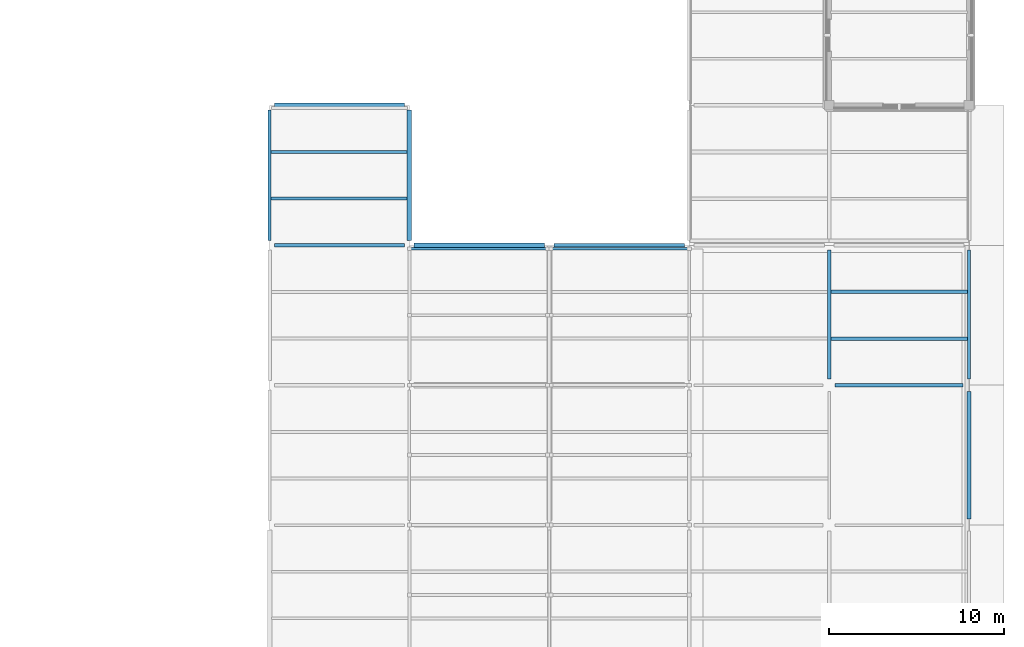
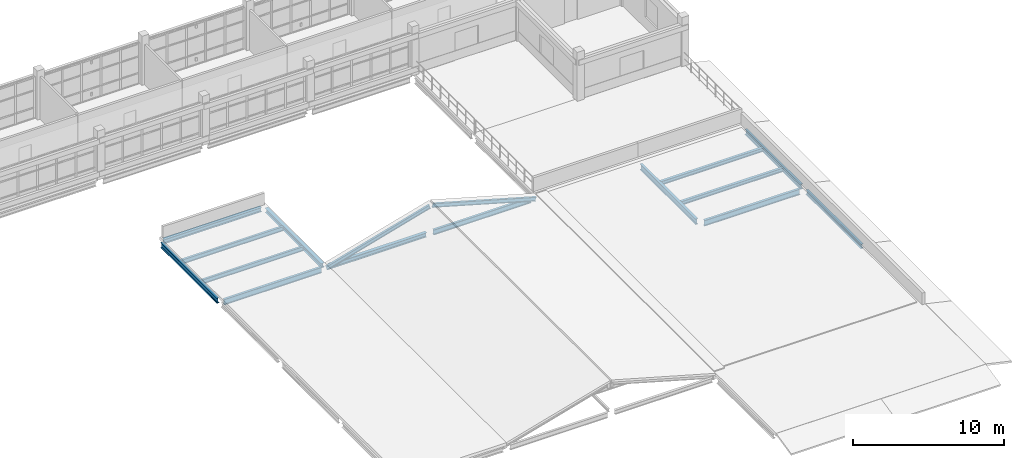
# One storey, part 35 of 92: 14 beams, 2 members.
"""IFC4 building model written with IfcOpenShell, lengths in metres."""

from ifc_helpers import new_model, si_unit, derived_unit, direction, frame, origin, origin_2d, place, context, subcontext, project, spatial, i_section, extrude, material, material_profile, profile_set, type_object, element, save


model = new_model("IFC4")

# Units and contexts
model_context = context("Model", 3, precision=1e-05, world=origin(), true_north=direction((0.0, 1.0)))
body_context = subcontext(model_context, "Body", "Model", "MODEL_VIEW")
ifc_project = project(units=[si_unit("LENGTHUNIT", "METRE"), si_unit("AREAUNIT", "SQUARE_METRE"), si_unit("VOLUMEUNIT", "CUBIC_METRE"), si_unit("PLANEANGLEUNIT", "RADIAN"), si_unit("MASSUNIT", "GRAM", prefix="KILO"), derived_unit("THERMALTRANSMITTANCEUNIT", [(si_unit("MASSUNIT", "GRAM", prefix="KILO"), 1), (si_unit("TIMEUNIT", "SECOND"), -3), (si_unit("THERMODYNAMICTEMPERATUREUNIT", "KELVIN"), -1)])], contexts=[model_context])

# Site, building, storey
site_placement = place(None, origin())
site = spatial("IfcSite", under=ifc_project, at=site_placement, CompositionType="ELEMENT")
building_placement = place(site_placement, origin())
building = spatial("IfcBuilding", under=site, at=building_placement, Name="Veyamyaing Civic Hall", CompositionType="ELEMENT")
storey_placement = place(building_placement, frame((0.0, 0.0, 17.820068359375)))
storey = spatial("IfcBuildingStorey", under=building, at=storey_placement, Name="L04", CompositionType="ELEMENT", Elevation=17.820068359375)

# Beams
ifc_material = material(Name="Steel ASTM A992", Category="steel")
ifc_material_profile_1 = material_profile(ifc_material, i_section(OverallWidth=0.19189453125, OverallDepth=0.462890625, WebThickness=0.010498046875, FlangeThickness=0.017578125, FilletRadius=0.010009765625, at=origin_2d()), Name="W460X89")
ifc_profile_set_1 = profile_set([ifc_material_profile_1], Name="Steel ASTM A992")
beam_type_1 = type_object("IfcBeamType", Name="B-08", PredefinedType="BEAM", material=ifc_profile_set_1)
beam_1_placement = place(storey_placement, frame((168.35009765625, 24.0, -0.4716796875), z_axis=(1.0, 0.0, 0.0), x_axis=(0.0, 1.0, 0.0)))
element("IfcBeam", 1, at=beam_1_placement, inside=storey, type_object=beam_type_1, Name="Girder B-08 L04 Grid D 22-23", PredefinedType="BEAM", context=body_context, shape_type="SweptSolid", body=[
    extrude(i_section(OverallWidth=0.19189453125, OverallDepth=0.462890625, WebThickness=0.010498046875, FlangeThickness=0.017578125, FilletRadius=0.010009765625, at=origin_2d()), origin(), (0.0, 0.0, 1.0), 7.2998046875),
])
beam_2_placement = place(storey_placement, frame((168.0, 24.35009765625, -0.4716796875), z_axis=(0.0, 1.0, 0.0), x_axis=(-1.0, 0.0, 0.0)))
element("IfcBeam", 2, at=beam_2_placement, inside=storey, type_object=beam_type_1, Name="Girder B-08 L04 Grid 22 D-E", PredefinedType="BEAM", context=body_context, shape_type="SweptSolid", body=[
    extrude(i_section(OverallWidth=0.19189453125, OverallDepth=0.462890625, WebThickness=0.010498046875, FlangeThickness=0.017578125, FilletRadius=0.010009765625, at=origin_2d()), origin(), (0.0, 0.0, 1.0), 7.375),
])
ifc_material_profile_2 = material_profile(ifc_material, i_section(OverallWidth=0.18994140625, OverallDepth=0.45703125, WebThickness=0.009033203125, FlangeThickness=0.014404296875, FilletRadius=0.010009765625, at=origin_2d()), Name="W460X74")
ifc_profile_set_2 = profile_set([ifc_material_profile_2], Name="Steel ASTM A992")
beam_type_2 = type_object("IfcBeamType", Name="B-09", PredefinedType="BEAM", material=ifc_profile_set_2)
beam_3_placement = place(storey_placement, frame((136.27490234375, 32.0, -0.468505859375), z_axis=(1.0, 0.0, 0.0), x_axis=(0.0, 1.0, 0.0)))
element("IfcBeam", 3, at=beam_3_placement, inside=storey, type_object=beam_type_2, Name="Girder B-09 L04 Grid E 18-19", PredefinedType="BEAM", context=body_context, shape_type="SweptSolid", body=[
    extrude(i_section(OverallWidth=0.18994140625, OverallDepth=0.45703125, WebThickness=0.009033203125, FlangeThickness=0.014404296875, FilletRadius=0.010009765625, at=origin_2d()), origin(), (0.0, 0.0, 1.0), 7.4501953125),
])
ifc_material_profile_3 = material_profile(ifc_material, i_section(OverallWidth=0.179931640625, OverallDepth=0.4130859375, WebThickness=0.009765625, FlangeThickness=0.01611328125, FilletRadius=0.010009765625, at=origin_2d()), Name="W410X74")
ifc_profile_set_3 = profile_set([ifc_material_profile_3], Name="Steel ASTM A992")
beam_type_3 = type_object("IfcBeamType", Name="B-10", PredefinedType="SPANDREL", material=ifc_profile_set_3)
beam_4_placement = place(storey_placement, frame((152.27490234375, 32.0, -0.441650390625), z_axis=(1.0, 0.0, 0.0), x_axis=(0.0, 1.0, 0.0)))
element("IfcBeam", 4, at=beam_4_placement, inside=storey, type_object=beam_type_3, Name="Girder B-10 L04 Grid E 20-21", PredefinedType="SPANDREL", context=body_context, shape_type="SweptSolid", body=[
    extrude(i_section(OverallWidth=0.179931640625, OverallDepth=0.4130859375, WebThickness=0.009765625, FlangeThickness=0.01611328125, FilletRadius=0.010009765625, at=origin_2d()), origin(), (0.0, 0.0, 1.0), 7.4501953125),
])
ifc_material_profile_4 = material_profile(ifc_material, i_section(OverallWidth=0.2041015625, OverallDepth=0.35009765625, WebThickness=0.0078125, FlangeThickness=0.01513671875, FilletRadius=0.010009765625, at=origin_2d()), Name="W360X72")
ifc_profile_set_4 = profile_set([ifc_material_profile_4], Name="Steel ASTM A992")
beam_type_4 = type_object("IfcBeamType", Name="B-11", PredefinedType="SPANDREL", material=ifc_profile_set_4)
beam_5_placement = place(storey_placement, frame((176.0, 16.35009765625, -0.4150390625), z_axis=(0.0, 1.0, 0.0), x_axis=(-1.0, 0.0, 0.0)))
element("IfcBeam", 5, at=beam_5_placement, inside=storey, type_object=beam_type_4, Name="Girder B-11 L04 Grid 23 C-D", PredefinedType="SPANDREL", context=body_context, shape_type="SweptSolid", body=[
    extrude(i_section(OverallWidth=0.2041015625, OverallDepth=0.35009765625, WebThickness=0.0078125, FlangeThickness=0.01513671875, FilletRadius=0.010009765625, at=origin_2d()), origin(), (0.0, 0.0, 1.0), 7.2998046875),
])
ifc_material_profile_5 = material_profile(ifc_material, i_section(OverallWidth=0.180908203125, OverallDepth=0.4169921875, WebThickness=0.010986328125, FlangeThickness=0.018310546875, FilletRadius=0.010009765625, at=origin_2d()), Name="W410X85")
ifc_profile_set_5 = profile_set([ifc_material_profile_5], Name="Steel ASTM A992")
beam_type_5 = type_object("IfcBeamType", Name="B-19", PredefinedType="SPANDREL", material=ifc_profile_set_5)
beam_6_placement = place(storey_placement, frame((136.0, 32.27490234375, -0.448486328125), z_axis=(0.0, 1.0, 0.0), x_axis=(-1.0, 0.0, 0.0)))
element("IfcBeam", 6, at=beam_6_placement, inside=storey, type_object=beam_type_5, Name="Girder B-19 L04 Grid 18 E-F", PredefinedType="SPANDREL", context=body_context, shape_type="SweptSolid", body=[
    extrude(i_section(OverallWidth=0.180908203125, OverallDepth=0.4169921875, WebThickness=0.010986328125, FlangeThickness=0.018310546875, FilletRadius=0.010009765625, at=origin_2d()), origin(), (0.0, 0.0, 1.0), 7.4501953125),
])
beam_7_placement = place(storey_placement, frame((176.0, 24.35009765625, -0.448486328125), z_axis=(0.0, 1.0, 0.0), x_axis=(-1.0, 0.0, 0.0)))
element("IfcBeam", 7, at=beam_7_placement, inside=storey, type_object=beam_type_5, Name="Girder B-19 L04 Grid 23 D-E", PredefinedType="SPANDREL", context=body_context, shape_type="SweptSolid", body=[
    extrude(i_section(OverallWidth=0.180908203125, OverallDepth=0.4169921875, WebThickness=0.010986328125, FlangeThickness=0.018310546875, FilletRadius=0.010009765625, at=origin_2d()), origin(), (0.0, 0.0, 1.0), 7.375),
])
ifc_material_profile_6 = material_profile(ifc_material, i_section(OverallWidth=0.25390625, OverallDepth=0.35302734375, WebThickness=0.009521484375, FlangeThickness=0.016357421875, FilletRadius=0.011962890625, at=origin_2d()), Name="W360X91")
ifc_profile_set_6 = profile_set([ifc_material_profile_6], Name="Steel ASTM A992")
beam_type_6 = type_object("IfcBeamType", Name="B-20", PredefinedType="SPANDREL", material=ifc_profile_set_6)
for number, where, z_axis, x_axis, name in (
    (8, (144.27490234375, 32.0, -0.41162109375), (1.0, 0.0, 0.0), (0.0, 1.0, 0.0), "Girder B-20 L04 Grid E 19-20"),
    (9, (136.27490234375, 40.0, -0.41650390625), (1.0, 0.0, 0.0), (0.0, 1.0, 0.0), "Girder B-20 L04 Grid F 18-19"),
    (10, (144.0, 32.27490234375, -0.41650390625), (0.0, 1.0, 0.0), (-1.0, 0.0, 0.0), "Girder B-20 L04 Grid 19 E-F"),
):
    element("IfcBeam", number, at=place(storey_placement, frame(where, z_axis=z_axis, x_axis=x_axis)), inside=storey, type_object=beam_type_6, Name=name, PredefinedType="SPANDREL", context=body_context, shape_type="SweptSolid", body=[
        extrude(i_section(OverallWidth=0.25390625, OverallDepth=0.35302734375, WebThickness=0.009521484375, FlangeThickness=0.016357421875, FilletRadius=0.011962890625, at=origin_2d()), origin(), (0.0, 0.0, 1.0), 7.4501953125),
    ])
ifc_material_profile_7 = material_profile(ifc_material, i_section(OverallWidth=0.1708984375, OverallDepth=0.35205078125, WebThickness=0.0068359375, FlangeThickness=0.009765625, FilletRadius=0.010009765625, at=origin_2d()), Name="W360X44")
ifc_profile_set_7 = profile_set([ifc_material_profile_7], Name="Steel ASTM A992")
beam_type_7 = type_object("IfcBeamType", Name="J-03", PredefinedType="JOIST", material=ifc_profile_set_7)
for number, where, z_axis, x_axis, name in (
    (11, (136.08837890625, 34.666748046875, -0.416015625), (1.0, 0.0, 0.0), (0.0, 1.0, 0.0), "Composite floor joist J-03 L04 18.5.1"),
    (12, (136.08837890625, 37.333251953125, -0.416015625), (1.0, 0.0, 0.0), (0.0, 1.0, 0.0), "Composite floor joist J-03 L04 18.5.2"),
):
    element("IfcBeam", number, at=place(storey_placement, frame(where, z_axis=z_axis, x_axis=x_axis)), inside=storey, type_object=beam_type_7, Name=name, PredefinedType="JOIST", context=body_context, shape_type="SweptSolid", body=[
        extrude(i_section(OverallWidth=0.1708984375, OverallDepth=0.35205078125, WebThickness=0.0068359375, FlangeThickness=0.009765625, FilletRadius=0.010009765625, at=origin_2d()), origin(), (0.0, 0.0, 1.0), 7.78662109375),
    ])
ifc_material_profile_8 = material_profile(ifc_material, i_section(OverallWidth=0.2041015625, OverallDepth=0.305908203125, WebThickness=0.008544921875, FlangeThickness=0.0146484375, FilletRadius=0.010009765625, at=origin_2d()), Name="W310X67")
ifc_profile_set_8 = profile_set([ifc_material_profile_8], Name="Steel ASTM A992")
beam_type_8 = type_object("IfcBeamType", Name="J-06", PredefinedType="JOIST", material=ifc_profile_set_8)
for number, where, z_axis, x_axis, name in (
    (13, (168.093994140625, 26.666748046875, -0.39306640625), (1.0, 0.0, 0.0), (0.0, 1.0, 0.0), "Composite floor joist J-06 L04 22.4.1"),
    (14, (168.093994140625, 29.333251953125, -0.39306640625), (1.0, 0.0, 0.0), (0.0, 1.0, 0.0), "Composite floor joist J-06 L04 22.4.2"),
):
    element("IfcBeam", number, at=place(storey_placement, frame(where, z_axis=z_axis, x_axis=x_axis)), inside=storey, type_object=beam_type_8, Name=name, PredefinedType="JOIST", context=body_context, shape_type="SweptSolid", body=[
        extrude(i_section(OverallWidth=0.2041015625, OverallDepth=0.305908203125, WebThickness=0.008544921875, FlangeThickness=0.0146484375, FilletRadius=0.010009765625, at=origin_2d()), origin(), (0.0, 0.0, 1.0), 7.817626953125),
    ])

# Members
ifc_material_profile_9 = material_profile(ifc_material, i_section(OverallWidth=0.1650390625, OverallDepth=0.31005859375, WebThickness=0.005859375, FlangeThickness=0.009765625, FilletRadius=0.010009765625, at=origin_2d()), Name="W310X39")
ifc_profile_set_9 = profile_set([ifc_material_profile_9], Name="Steel ASTM A992")
member_type = type_object("IfcMemberType", Name="RF-02", PredefinedType="RAFTER", material=ifc_profile_set_9)
for number, where, z_axis, x_axis, name in (
    (15, (144.0, 31.800048828125, -0.330078125), (0.962072900716, 0.0, 0.272792473702), (0.0, 1.0, 0.0), "Members Library Roof Rafter RF-02 W.7"),
    (16, (160.0, 31.800048828125, -0.330078125), (-0.962072900716, 0.0, 0.272792473702), (0.0, -1.0, 0.0), "Members Library Roof Rafter RF-02 E.7"),
):
    element("IfcMember", number, at=place(storey_placement, frame(where, z_axis=z_axis, x_axis=x_axis)), inside=storey, type_object=member_type, Name=name, PredefinedType="RAFTER", context=body_context, shape_type="SweptSolid", body=[
        extrude(i_section(OverallWidth=0.1650390625, OverallDepth=0.31005859375, WebThickness=0.005859375, FlangeThickness=0.009765625, FilletRadius=0.010009765625, at=origin_2d()), origin(), (0.0, 0.0, 1.0), 8.21142578125),
    ])

save(model, "model.ifc")
